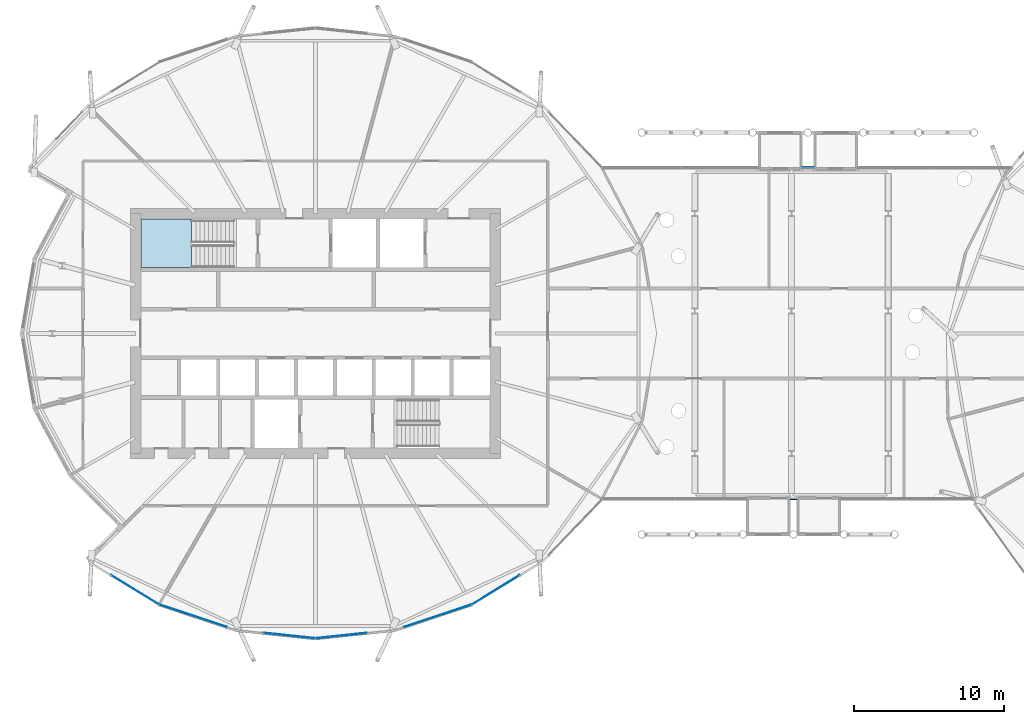
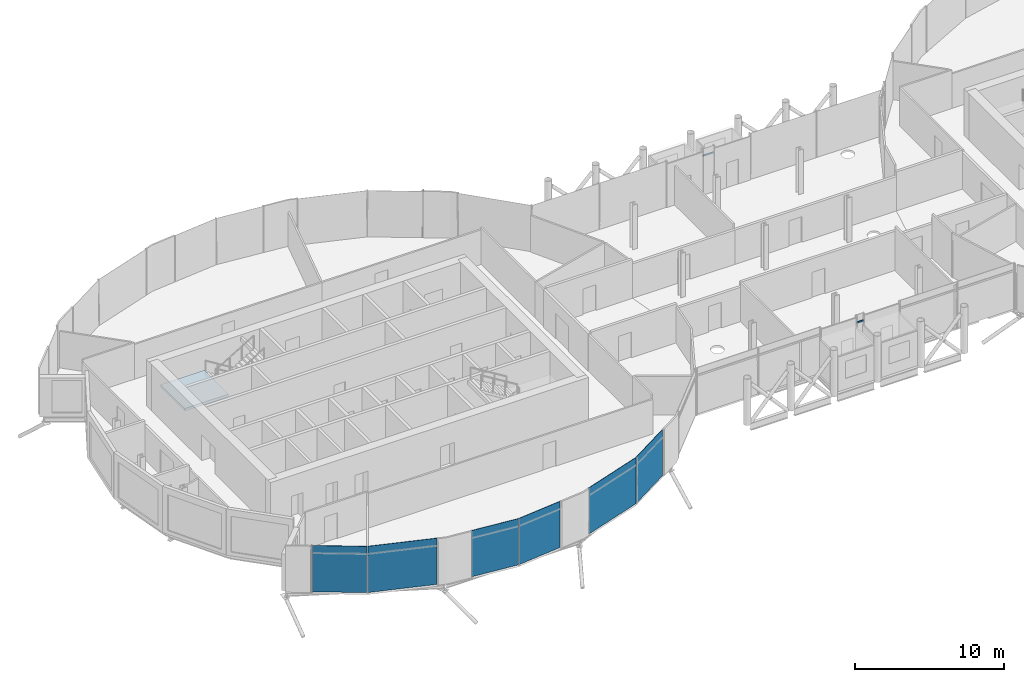
# One storey, part 19 of 39: 6 plates, 2 members, 1 slab, 4 elements without a shape of their own.
"""IFC4 building model written with IfcOpenShell, lengths in metres."""

from ifc_helpers import new_model, si_unit, direction, frame, origin, origin_2d, place, context, subcontext, project, spatial, polyline, rectangle, outline, extrude, material, layer, layer_set, material_profile, profile_set, type_object, element, aggregate, save


model = new_model("IFC4")

# Units and contexts
model_context = context("Model", 3, precision=1e-05, world=origin(), true_north=direction((0.0, 1.0)))
body_context = subcontext(model_context, "Body", "Model", "MODEL_VIEW")
ifc_project = project(units=[si_unit("LENGTHUNIT", "METRE"), si_unit("AREAUNIT", "SQUARE_METRE"), si_unit("VOLUMEUNIT", "CUBIC_METRE"), si_unit("PLANEANGLEUNIT", "RADIAN"), si_unit("MASSUNIT", "GRAM", prefix="KILO")], contexts=[model_context])

# Site, building, storey
site_placement = place(None, origin())
site = spatial("IfcSite", under=ifc_project, at=site_placement, CompositionType="ELEMENT")
building_placement = place(site_placement, origin())
building = spatial("IfcBuilding", under=site, at=building_placement, Name="Rimbun Link Towers", CompositionType="ELEMENT")
storey_placement = place(building_placement, frame((0.0, 0.0, 143.0)))
storey = spatial("IfcBuildingStorey", under=building, at=storey_placement, Name="L34", CompositionType="ELEMENT", Elevation=143.0)

# Curtain wall, member
ifc_material_1 = material(Name="Aluminium 6063-T6 and low-iron glass", Category="aluminium")
curtain_wall_type = type_object("IfcCurtainWallType", Name="CW4 link block wall", PredefinedType="NOTDEFINED", material=ifc_material_1)
curtain_wall_1_placement = place(storey_placement, origin())
curtain_wall_1 = element("IfcCurtainWall", 1, at=curtain_wall_1_placement, inside=storey, type_object=curtain_wall_type, Name="CW4 L34 LB", PredefinedType="NOTDEFINED")
ifc_material_2 = material(Name="Aluminium 6063-T6", Category="aluminium")
ifc_material_profile = material_profile(ifc_material_2, rectangle(XDim=0.06005859375, YDim=0.1201171875, at=origin_2d()), Name="TRANSOM 60X120")
ifc_profile_set = profile_set([ifc_material_profile], Name="Aluminium 6063-T6")
member_type = type_object("IfcMemberType", Name="CW4 transom 60X120", PredefinedType="USERDEFINED", material=ifc_profile_set)
member_1_placement = place(storey_placement, frame((0.6767578125, 11.05810546875, 3.199951171875), z_axis=(1.0, 0.0, 0.0), x_axis=(0.0, 1.0, 0.0)))
member_1 = element("IfcMember", 2, at=member_1_placement, type_object=member_type, Name="CW4 transom", ObjectType="TRANSOM", PredefinedType="USERDEFINED", context=body_context, shape_type="SweptSolid", body=[
    extrude(rectangle(XDim=0.06005859375, YDim=0.1201171875, at=origin_2d()), origin(), (0.0, 0.0, 1.0), 0.830078125),
])
aggregate(curtain_wall_1, [member_1])

curtain_wall_2_placement = place(storey_placement, origin())
curtain_wall_2 = element("IfcCurtainWall", 3, at=curtain_wall_2_placement, inside=storey, type_object=curtain_wall_type, Name="CW4 L34 LB", PredefinedType="NOTDEFINED")
member_2_placement = place(storey_placement, frame((0.38330078125, -11.05810546875, 3.199951171875), z_axis=(-1.0, 0.0, 0.0), x_axis=(0.0, -1.0, 0.0)))
member_2 = element("IfcMember", 4, at=member_2_placement, type_object=member_type, Name="CW4 transom", ObjectType="TRANSOM", PredefinedType="USERDEFINED", context=body_context, shape_type="SweptSolid", body=[
    extrude(rectangle(XDim=0.06005859375, YDim=0.1201171875, at=origin_2d()), origin(), (0.0, 0.0, 1.0), 0.509033203125),
])
aggregate(curtain_wall_2, [member_2])

# Curtain wall, plates
curtain_wall_3_placement = place(storey_placement, origin())
curtain_wall_3 = element("IfcCurtainWall", 5, at=curtain_wall_3_placement, inside=storey, type_object=curtain_wall_type, Name="CW4 L34 T1", PredefinedType="NOTDEFINED")
ifc_material_3 = material(Name="Low-iron glass, laminated low-e unit", Category="glass")
ifc_layer_1 = layer(ifc_material_3, 0.028076171875)
ifc_layer_set_1 = layer_set([ifc_layer_1], Name="CW4 panel Low-iron glass 28")
plate_type = type_object("IfcPlateType", Name="CW4 panel Low-iron glass 28", PredefinedType="CURTAIN_PANEL", material=ifc_layer_set_1)
plate_1_placement = place(storey_placement, frame((-43.7802734375, -17.088623046875, 0.0), z_axis=(0.0, 0.0, 1.0), x_axis=(-0.852194346217, 0.523225378089, 0.0)))
plate_1 = element("IfcPlate", 6, at=plate_1_placement, type_object=plate_type, Name="CW4 panel", PredefinedType="CURTAIN_PANEL", context=body_context, shape_type="SweptSolid", body=[
    extrude(rectangle(XDim=3.708740234375, YDim=0.028076171875, at=origin_2d()), origin(), (0.0, 0.0, 1.0), 3.800048828125),
])
plate_2_placement = place(storey_placement, frame((-39.89892578125, -18.82666015625, 0.0), z_axis=(0.0, 0.0, 1.0), x_axis=(-0.949234953763, 0.314567961741, 0.0)))
plate_2 = element("IfcPlate", 7, at=plate_2_placement, type_object=plate_type, Name="CW4 panel", PredefinedType="CURTAIN_PANEL", context=body_context, shape_type="SweptSolid", body=[
    extrude(rectangle(XDim=4.765869140625, YDim=0.028076171875, at=origin_2d()), origin(), (0.0, 0.0, 1.0), 3.800048828125),
])
plate_3_placement = place(storey_placement, frame((-33.478515625, -20.147705078125, 0.0), z_axis=(0.0, 0.0, 1.0), x_axis=(-0.994499069305, 0.104745411125, 0.0)))
plate_3 = element("IfcPlate", 8, at=plate_3_placement, type_object=plate_type, Name="CW4 panel", PredefinedType="CURTAIN_PANEL", context=body_context, shape_type="SweptSolid", body=[
    extrude(rectangle(XDim=3.433349609375, YDim=0.028076171875, at=origin_2d()), origin(), (0.0, 0.0, 1.0), 3.800048828125),
])
plate_4_placement = place(storey_placement, frame((-30.021484375, -20.147705078125, 0.0), z_axis=(0.0, 0.0, 1.0), x_axis=(-0.994499069305, -0.104745411125, 0.0)))
plate_4 = element("IfcPlate", 9, at=plate_4_placement, type_object=plate_type, Name="CW4 panel", PredefinedType="CURTAIN_PANEL", context=body_context, shape_type="SweptSolid", body=[
    extrude(rectangle(XDim=3.433349609375, YDim=0.028076171875, at=origin_2d()), origin(), (0.0, 0.0, 1.0), 3.800048828125),
])
plate_5_placement = place(storey_placement, frame((-23.60107421875, -18.82666015625, 0.0), z_axis=(0.0, 0.0, 1.0), x_axis=(-0.949234953763, -0.314567961741, 0.0)))
plate_5 = element("IfcPlate", 10, at=plate_5_placement, type_object=plate_type, Name="CW4 panel", PredefinedType="CURTAIN_PANEL", context=body_context, shape_type="SweptSolid", body=[
    extrude(rectangle(XDim=4.765869140625, YDim=0.028076171875, at=origin_2d()), origin(), (0.0, 0.0, 1.0), 3.800048828125),
])
plate_6_placement = place(storey_placement, frame((-19.7197265625, -17.088623046875, 0.0), z_axis=(0.0, 0.0, 1.0), x_axis=(-0.852194346217, -0.523225378089, 0.0)))
plate_6 = element("IfcPlate", 11, at=plate_6_placement, type_object=plate_type, Name="CW4 panel", PredefinedType="CURTAIN_PANEL", context=body_context, shape_type="SweptSolid", body=[
    extrude(rectangle(XDim=3.708740234375, YDim=0.028076171875, at=origin_2d()), origin(), (0.0, 0.0, 1.0), 3.800048828125),
])
aggregate(curtain_wall_3, [plate_1, plate_2, plate_3, plate_4, plate_5, plate_6])

# Stair, slab
ifc_material_4 = material(Name="Concrete C40/50", Category="concrete")
stair_type = type_object("IfcStairType", Name="Exit stair 3800 rise", PredefinedType="HALF_TURN_STAIR", material=ifc_material_4)
stair_placement = place(storey_placement, origin())
stair = element("IfcStair", 12, at=stair_placement, inside=storey, type_object=stair_type, Name="L34 EXIT STAIR A", PredefinedType="HALF_TURN_STAIR")
ifc_material_5 = material(Name="Concrete C40/50", Category="concrete")
ifc_layer_2 = layer(ifc_material_5, 0.199951171875)
ifc_layer_set_2 = layer_set([ifc_layer_2], Name="Stair landing")
slab_type = type_object("IfcSlabType", Name="Stair landing", PredefinedType="LANDING", material=ifc_layer_set_2)
slab_placement = place(storey_placement, frame((0.0, 0.0, 1.699951171875)))
slab = element("IfcSlab", 13, at=slab_placement, type_object=slab_type, Name="ST1 landing 1", PredefinedType="LANDING", context=body_context, shape_type="SweptSolid", body=[
    extrude(outline(polyline([(-40.0, 7.64990234375), (-43.39990234375, 7.64990234375), (-43.39990234375, 4.39990234375), (-40.0, 4.39990234375), (-40.0, 7.64990234375)])), origin(), (0.0, 0.0, 1.0), 0.199951171875),
])
aggregate(stair, [slab])

save(model, "model.ifc")
